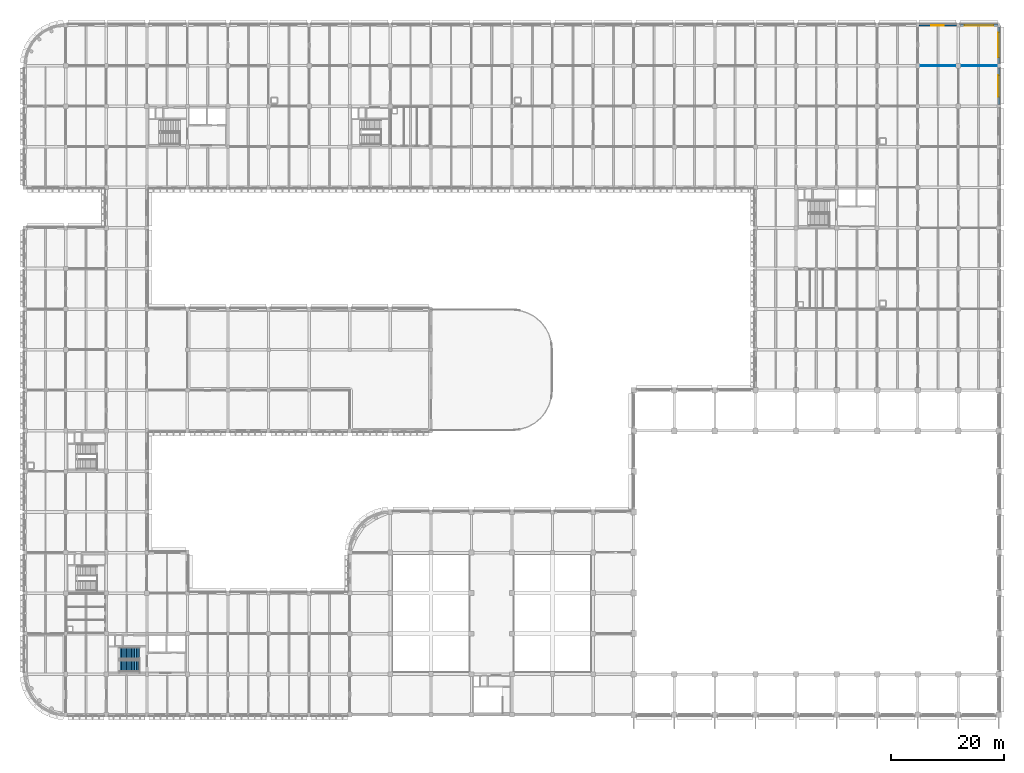
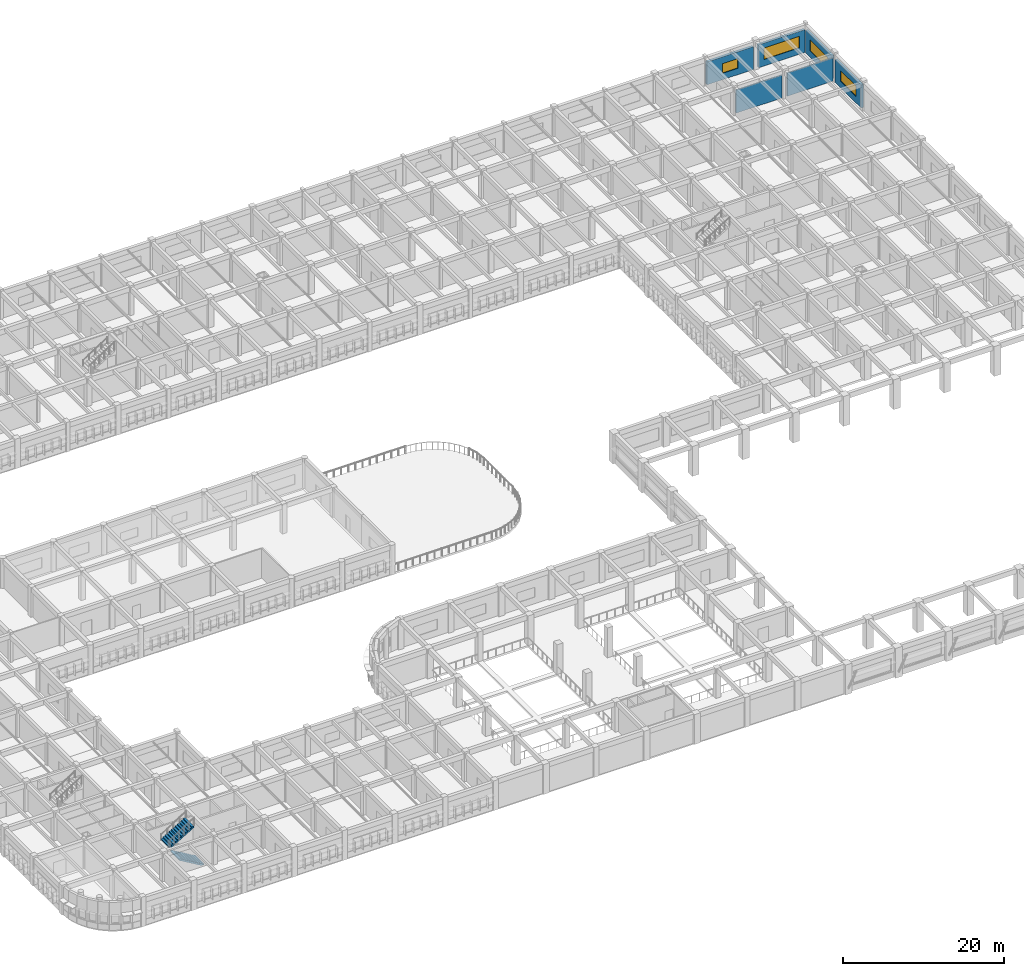
# One storey, part 53 of 61: 6 walls, 4 windows, 2 stair flights, 4 openings, 1 element without a shape of its own.
"""IFC4 building model written with IfcOpenShell, lengths in metres."""

from ifc_helpers import new_model, si_unit, direction, frame, frame_2d, origin, place, context, subcontext, project, spatial, polyline, rectangle, outline, extrude, material, layer, layer_set, type_object, element, fill, aggregate, save


model = new_model("IFC4")

# Units and contexts
model_context = context("Model", 3, precision=1e-05, world=origin(), true_north=direction((0.0, 1.0)))
body_context = subcontext(model_context, "Body", "Model", "MODEL_VIEW")
ifc_project = project(units=[si_unit("LENGTHUNIT", "METRE"), si_unit("AREAUNIT", "SQUARE_METRE"), si_unit("VOLUMEUNIT", "CUBIC_METRE"), si_unit("PLANEANGLEUNIT", "RADIAN"), si_unit("MASSUNIT", "GRAM", prefix="KILO")], contexts=[model_context])

# Site, building, storey
site_placement = place(None, origin())
site = spatial("IfcSite", under=ifc_project, at=site_placement, CompositionType="ELEMENT")
building_placement = place(site_placement, origin())
building = spatial("IfcBuilding", under=site, at=building_placement, Name="Thalmaran Polytechnic", CompositionType="ELEMENT")
storey_placement = place(building_placement, frame((0.0, 0.0, 9.89990234375)))
storey = spatial("IfcBuildingStorey", under=building, at=storey_placement, Name="L02", CompositionType="ELEMENT", Elevation=9.89990234375)

# Wall, opening, window
ifc_material_1 = material(Name="Precast concrete C40/50", Category="concrete")
ifc_layer_1 = layer(ifc_material_1, 0.330078125, Name="Precast concrete C40/50")
ifc_layer_set_1 = layer_set([ifc_layer_1], Name="Precast concrete C40/50")
wall_type_1 = type_object("IfcWallType", Name="WL-EW02", PredefinedType="STANDARD", material=ifc_layer_set_1)
wall_1_placement = place(storey_placement, frame((158.60009765625, 122.39990234375, 0.0), z_axis=(0.0, 0.0, 1.0), x_axis=(1.0, 0.0, 0.0)))
wall_1 = element("IfcWall", 1, at=wall_1_placement, inside=storey, type_object=wall_type_1, Name="Exterior Precast Facade Wall L02-050", PredefinedType="STANDARD", context=body_context, shape_type="SweptSolid", body=[
    extrude(rectangle(XDim=6.639892578125, YDim=0.330078125, at=frame_2d((3.31982421875, 0.0))), origin(), (0.0, 0.0, 1.0), 3.47021484375),
])
opening_1_placement = place(wall_1_placement, frame((2.219970703125, 0.0, 0.97998046875)))
opening_1 = element("IfcOpeningElement", 2, at=opening_1_placement, cuts=wall_1, Name="Opening VW06", PredefinedType="OPENING", context=body_context, shape_type="SweptSolid", body=[
    extrude(rectangle(XDim=2.199951171875, YDim=1.449951171875, at=frame_2d((1.10009765625, 0.72509765625))), frame((0.0, 0.175048828125, 0.0), z_axis=(0.0, -1.0, 0.0), x_axis=(1.0, 0.0, 0.0)), (0.0, 0.0, 1.0), 0.35009765625),
])
ifc_material_2 = material(Name="Thermally broken aluminium and double low-E glass", Category="aluminium")
window_type_1 = type_object("IfcWindowType", Name="WN-VZ06", PartitioningType="DOUBLE_PANEL_VERTICAL", PredefinedType="WINDOW", material=ifc_material_2)
window_1_placement = place(opening_1_placement, origin())
window_1 = element("IfcWindow", 3, at=window_1_placement, inside=storey, type_object=window_type_1, Name="Streamline Ribbon Window W-0250", OverallHeight=1.449951171875, OverallWidth=2.199951171875, PartitioningType="SINGLE_PANEL", PredefinedType="WINDOW", context=body_context, shape_type="SweptSolid", body=[
    extrude(rectangle(XDim=2.199951171875, YDim=1.449951171875, at=frame_2d((1.10009765625, 0.72509765625))), frame((0.0, -0.030029296875, 0.0), z_axis=(0.0, -1.0, 0.0), x_axis=(1.0, 0.0, 0.0)), (0.0, 0.0, 1.0), 0.06005859375),
])
fill(opening_1, window_1)

wall_2_placement = place(storey_placement, frame((165.9599609375, 122.39990234375, 0.0), z_axis=(0.0, 0.0, 1.0), x_axis=(1.0, 0.0, 0.0)))
wall_2 = element("IfcWall", 4, at=wall_2_placement, inside=storey, type_object=wall_type_1, Name="Exterior Precast Facade Wall L02-051", PredefinedType="STANDARD", context=body_context, shape_type="SweptSolid", body=[
    extrude(rectangle(XDim=6.64013671875, YDim=0.330078125, at=frame_2d((3.320068359375, 0.0))), origin(), (0.0, 0.0, 1.0), 3.47021484375),
])
opening_2_placement = place(wall_2_placement, frame((0.77001953125, 0.0, 0.97998046875)))
opening_2 = element("IfcOpeningElement", 5, at=opening_2_placement, cuts=wall_2, Name="Opening VW15", PredefinedType="OPENING", context=body_context, shape_type="SweptSolid", body=[
    extrude(rectangle(XDim=5.10009765625, YDim=1.75, at=frame_2d((2.550048828125, 0.875))), frame((0.0, 0.175048828125, 0.0), z_axis=(0.0, -1.0, 0.0), x_axis=(1.0, 0.0, 0.0)), (0.0, 0.0, 1.0), 0.35009765625),
])
window_type_2 = type_object("IfcWindowType", Name="WN-VZ15", PartitioningType="TRIPLE_PANEL_HORIZONTAL", PredefinedType="WINDOW", material=ifc_material_2)
window_2_placement = place(opening_2_placement, origin())
window_2 = element("IfcWindow", 6, at=window_2_placement, inside=storey, type_object=window_type_2, Name="Streamline Ribbon Window W-0251", OverallHeight=1.75, OverallWidth=5.10009765625, PartitioningType="SINGLE_PANEL", PredefinedType="WINDOW", context=body_context, shape_type="SweptSolid", body=[
    extrude(rectangle(XDim=5.10009765625, YDim=1.75, at=frame_2d((2.550048828125, 0.875))), frame((0.0, -0.030029296875, 0.0), z_axis=(0.0, -1.0, 0.0), x_axis=(1.0, 0.0, 0.0)), (0.0, 0.0, 1.0), 0.06005859375),
])
fill(opening_2, window_2)

wall_3_placement = place(storey_placement, frame((172.800048828125, 122.10009765625, 0.0), z_axis=(0.0, 0.0, 1.0), x_axis=(0.0, -1.0, 0.0)))
wall_3 = element("IfcWall", 7, at=wall_3_placement, inside=storey, type_object=wall_type_1, Name="Exterior Precast Facade Wall L02-052", PredefinedType="STANDARD", context=body_context, shape_type="SweptSolid", body=[
    extrude(rectangle(XDim=6.47509765625, YDim=0.330078125, at=frame_2d((3.237548828125, 0.0))), origin(), (0.0, 0.0, 1.0), 3.47021484375),
])
opening_3_placement = place(wall_3_placement, frame((1.03759765625, 0.0, 0.97998046875)))
opening_3 = element("IfcOpeningElement", 8, at=opening_3_placement, cuts=wall_3, Name="Opening VW16", PredefinedType="OPENING", context=body_context, shape_type="SweptSolid", body=[
    extrude(rectangle(XDim=4.39990234375, YDim=1.64990234375, at=frame_2d((2.199951171875, 0.824951171875))), frame((0.0, 0.175048828125, 0.0), z_axis=(0.0, -1.0, 0.0), x_axis=(1.0, 0.0, 0.0)), (0.0, 0.0, 1.0), 0.35009765625),
])
window_type_3 = type_object("IfcWindowType", Name="WN-VZ16", PartitioningType="TRIPLE_PANEL_HORIZONTAL", PredefinedType="WINDOW", material=ifc_material_2)
window_3_placement = place(opening_3_placement, origin())
window_3 = element("IfcWindow", 9, at=window_3_placement, inside=storey, type_object=window_type_3, Name="Streamline Ribbon Window W-0252", OverallHeight=1.64990234375, OverallWidth=4.39990234375, PartitioningType="SINGLE_PANEL", PredefinedType="WINDOW", context=body_context, shape_type="SweptSolid", body=[
    extrude(rectangle(XDim=4.39990234375, YDim=1.64990234375, at=frame_2d((2.199951171875, 0.824951171875))), frame((0.0, -0.030029296875, 0.0), z_axis=(0.0, -1.0, 0.0), x_axis=(1.0, 0.0, 0.0)), (0.0, 0.0, 1.0), 0.06005859375),
])
fill(opening_3, window_3)

wall_4_placement = place(storey_placement, frame((172.800048828125, 114.77490234375, 0.0), z_axis=(0.0, 0.0, 1.0), x_axis=(0.0, -1.0, 0.0)))
wall_4 = element("IfcWall", 10, at=wall_4_placement, inside=storey, type_object=wall_type_1, Name="Exterior Precast Facade Wall L02-053", PredefinedType="STANDARD", context=body_context, shape_type="SweptSolid", body=[
    extrude(rectangle(XDim=6.4248046875, YDim=0.330078125, at=frame_2d((3.21240234375, 0.0))), origin(), (0.0, 0.0, 1.0), 3.47021484375),
])
opening_4_placement = place(wall_4_placement, frame((1.3125, 0.0, 0.97998046875)))
opening_4 = element("IfcOpeningElement", 11, at=opening_4_placement, cuts=wall_4, Name="Opening VW17", PredefinedType="OPENING", context=body_context, shape_type="SweptSolid", body=[
    extrude(rectangle(XDim=3.800048828125, YDim=1.60009765625, at=frame_2d((1.89990234375, 0.800048828125))), frame((0.0, 0.175048828125, 0.0), z_axis=(0.0, -1.0, 0.0), x_axis=(1.0, 0.0, 0.0)), (0.0, 0.0, 1.0), 0.35009765625),
])
window_type_4 = type_object("IfcWindowType", Name="WN-VZ17", PartitioningType="DOUBLE_PANEL_VERTICAL", PredefinedType="WINDOW", material=ifc_material_2)
window_4_placement = place(opening_4_placement, origin())
window_4 = element("IfcWindow", 12, at=window_4_placement, inside=storey, type_object=window_type_4, Name="Streamline Ribbon Window W-0253", OverallHeight=1.60009765625, OverallWidth=3.800048828125, PartitioningType="SINGLE_PANEL", PredefinedType="WINDOW", context=body_context, shape_type="SweptSolid", body=[
    extrude(rectangle(XDim=3.800048828125, YDim=1.60009765625, at=frame_2d((1.89990234375, 0.800048828125))), frame((0.0, -0.030029296875, 0.0), z_axis=(0.0, -1.0, 0.0), x_axis=(1.0, 0.0, 0.0)), (0.0, 0.0, 1.0), 0.06005859375),
])
fill(opening_4, window_4)

# Walls
ifc_material_3 = material(Name="Gypsum acoustic partition")
ifc_layer_2 = layer(ifc_material_3, 0.1298828125, Name="Gypsum acoustic partition")
ifc_layer_set_2 = layer_set([ifc_layer_2], Name="Gypsum acoustic partition")
wall_type_2 = type_object("IfcWallType", Name="WL-IW07", PredefinedType="PARTITIONING", material=ifc_layer_set_2)
wall_5_placement = place(storey_placement, frame((158.679931640625, 115.199951171875, 0.0), z_axis=(0.0, 0.0, 1.0), x_axis=(1.0, 0.0, 0.0)))
element("IfcWall", 13, at=wall_5_placement, inside=storey, type_object=wall_type_2, Name="Interior Partition IW07 L02-160", PredefinedType="PARTITIONING", context=body_context, shape_type="SweptSolid", body=[
    extrude(rectangle(XDim=6.5400390625, YDim=0.1298828125, at=frame_2d((3.27001953125, 0.0))), origin(), (0.0, 0.0, 1.0), 3.505126953125),
])
wall_6_placement = place(storey_placement, frame((165.97998046875, 115.199951171875, 0.0), z_axis=(0.0, 0.0, 1.0), x_axis=(1.0, 0.0, 0.0)))
element("IfcWall", 14, at=wall_6_placement, inside=storey, type_object=wall_type_2, Name="Interior Partition IW07 L02-164", PredefinedType="PARTITIONING", context=body_context, shape_type="SweptSolid", body=[
    extrude(rectangle(XDim=6.5400390625, YDim=0.1298828125, at=frame_2d((3.27001953125, 0.0))), origin(), (0.0, 0.0, 1.0), 3.525146484375),
])

# Stair, stair flights
ifc_material_4 = material(Name="Concrete C40/50", Category="concrete")
stair_type = type_object("IfcStairType", Name="ST-HT45", PredefinedType="HALF_TURN_STAIR", material=ifc_material_4)
stair_placement = place(storey_placement, origin())
stair = element("IfcStair", 15, at=stair_placement, inside=storey, type_object=stair_type, Name="Exit Stair ST1 L02", PredefinedType="HALF_TURN_STAIR")
stair_flight_type = type_object("IfcStairFlightType", Name="SF-FL14", PredefinedType="STRAIGHT", material=ifc_material_4)
stair_flight_1_placement = place(storey_placement, frame((20.320068359375, 8.56005859375, 0.0), z_axis=(0.0, 0.0, 1.0), x_axis=(-1.0, 0.0, 0.0)))
stair_flight_1 = element("IfcStairFlight", 16, at=stair_flight_1_placement, type_object=stair_flight_type, Name="Stair Flight ST1 L02 Lower", NumberOfRisers=13, NumberOfTreads=12, PredefinedType="STRAIGHT", RiserHeight=0.173077, TreadLength=0.293333, context=body_context, shape_type="SweptSolid", body=[
    extrude(outline(polyline([(0.0, 0.0), (0.0, 0.173095703125), (0.293212890625, 0.173095703125), (0.293212890625, 0.34619140625), (0.586669921875, 0.34619140625), (0.586669921875, 0.519287109375), (0.8798828125, 0.519287109375), (0.8798828125, 0.6923828125), (1.17333984375, 0.6923828125), (1.17333984375, 0.865478515625), (1.466552734375, 0.865478515625), (1.466552734375, 1.03857421875), (1.760009765625, 1.03857421875), (1.760009765625, 1.21142578125), (2.05322265625, 1.21142578125), (2.05322265625, 1.384521484375), (2.3466796875, 1.384521484375), (2.3466796875, 1.5576171875), (2.639892578125, 1.5576171875), (2.639892578125, 1.730712890625), (2.933349609375, 1.730712890625), (2.933349609375, 1.90380859375), (3.2265625, 1.90380859375), (3.2265625, 2.076904296875), (3.52001953125, 2.076904296875), (3.52001953125, 2.25), (3.52001953125, 1.867919921875), (0.35400390625, 0.0), (0.0, 0.0)])), frame((0.0, 1.080078125, 0.0), z_axis=(0.0, -1.0, 0.0), x_axis=(1.0, 0.0, 0.0)), (0.0, 0.0, 1.0), 2.159912109375),
])
stair_flight_2_placement = place(storey_placement, frame((16.800048828125, 11.02001953125, 2.25), z_axis=(0.0, 0.0, 1.0), x_axis=(1.0, 0.0, 0.0)))
stair_flight_2 = element("IfcStairFlight", 17, at=stair_flight_2_placement, type_object=stair_flight_type, Name="Stair Flight ST1 L02 Upper", NumberOfRisers=13, NumberOfTreads=12, PredefinedType="STRAIGHT", RiserHeight=0.173077, TreadLength=0.293333, context=body_context, shape_type="SweptSolid", body=[
    extrude(outline(polyline([(0.0, 0.0), (0.0, 0.173095703125), (0.293212890625, 0.173095703125), (0.293212890625, 0.34619140625), (0.586669921875, 0.34619140625), (0.586669921875, 0.519287109375), (0.8798828125, 0.519287109375), (0.8798828125, 0.6923828125), (1.17333984375, 0.6923828125), (1.17333984375, 0.865478515625), (1.466552734375, 0.865478515625), (1.466552734375, 1.03857421875), (1.760009765625, 1.03857421875), (1.760009765625, 1.21142578125), (2.05322265625, 1.21142578125), (2.05322265625, 1.384521484375), (2.3466796875, 1.384521484375), (2.3466796875, 1.5576171875), (2.639892578125, 1.5576171875), (2.639892578125, 1.730712890625), (2.933349609375, 1.730712890625), (2.933349609375, 1.90380859375), (3.2265625, 1.90380859375), (3.2265625, 2.076904296875), (3.52001953125, 2.076904296875), (3.52001953125, 2.25), (3.52001953125, 1.867919921875), (0.35400390625, 0.0), (0.0, 0.0)])), frame((0.0, 1.080078125, 0.0), z_axis=(0.0, -1.0, 0.0), x_axis=(1.0, 0.0, 0.0)), (0.0, 0.0, 1.0), 2.159912109375),
])
aggregate(stair, [stair_flight_1, stair_flight_2])

save(model, "model.ifc")
